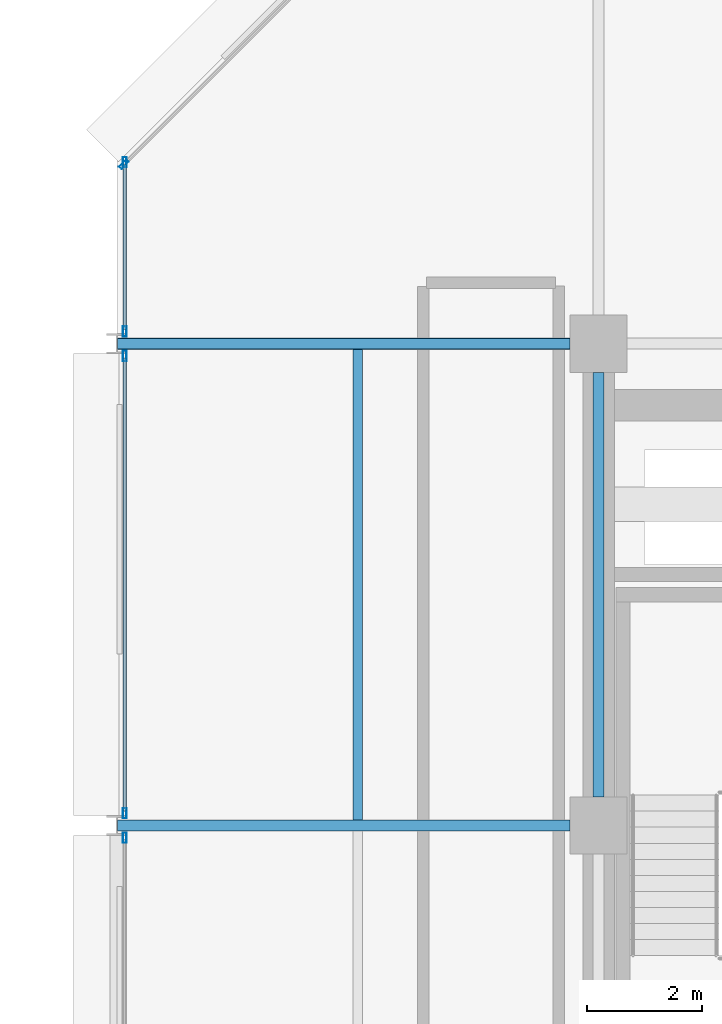
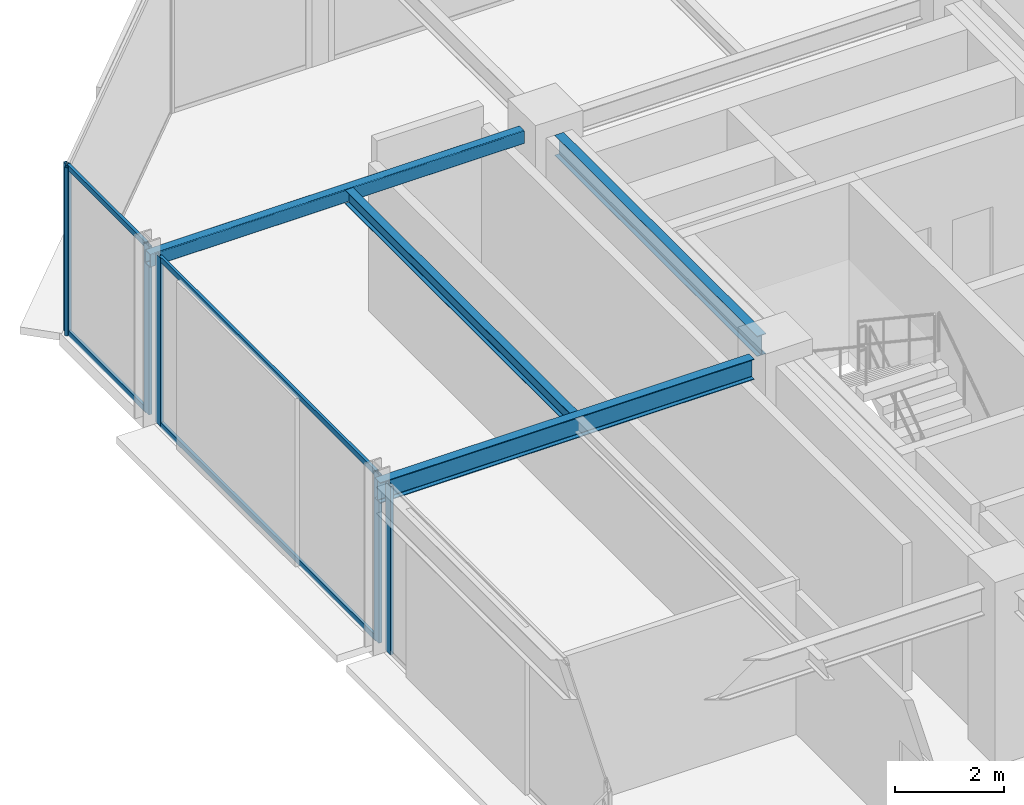
# One storey, part 17 of 30: 10 members, 4 beams, 4 elements without a shape of their own.
"""IFC4 building model written with IfcOpenShell, lengths in metres."""

from ifc_helpers import new_model, si_unit, direction, frame, origin, origin_2d, place, context, subcontext, project, spatial, hollow_rectangle, i_section, extrude, material, layer, layer_set, material_profile, profile_set, type_object, element, aggregate, save


model = new_model("IFC4")

# Units and contexts
model_context = context("Model", 3, precision=1e-05, world=origin(), true_north=direction((0.0, 1.0)))
body_context = subcontext(model_context, "Body", "Model", "MODEL_VIEW")
ifc_project = project(units=[si_unit("LENGTHUNIT", "METRE"), si_unit("AREAUNIT", "SQUARE_METRE"), si_unit("VOLUMEUNIT", "CUBIC_METRE"), si_unit("PLANEANGLEUNIT", "RADIAN"), si_unit("MASSUNIT", "GRAM", prefix="KILO")], contexts=[model_context])

# Site, building, storey
site_placement = place(None, origin())
site = spatial("IfcSite", under=ifc_project, at=site_placement, CompositionType="ELEMENT")
building_placement = place(site_placement, origin())
building = spatial("IfcBuilding", under=site, at=building_placement, Name="Nerrivon Quay Data Exchange", CompositionType="ELEMENT")
storey_placement = place(building_placement, frame((0.0, 0.0, 216.5)))
storey = spatial("IfcBuildingStorey", under=building, at=storey_placement, Name="L51", CompositionType="ELEMENT", Elevation=216.5)

# Beams
ifc_material_1 = material(Name="Steel Grade 350", Category="steel")
ifc_material_profile_1 = material_profile(ifc_material_1, i_section(OverallWidth=0.19091796875, OverallDepth=0.4599609375, WebThickness=0.010009765625, FlangeThickness=0.01611328125, FilletRadius=0.011474609375, at=origin_2d()), Name="460UB82.1")
ifc_profile_set_1 = profile_set([ifc_material_profile_1], Name="Steel Grade 350")
beam_type_1 = type_object("IfcBeamType", Name="BM-G5-460UB82", PredefinedType="BEAM", material=ifc_profile_set_1)
beam_1_placement = place(storey_placement, frame((0.010009765625, 33.60009765625, 3.52001953125), z_axis=(1.0, 0.0, 0.0), x_axis=(0.0, 1.0, 0.0)))
element("IfcBeam", 1, at=beam_1_placement, inside=storey, type_object=beam_type_1, Name="L51 EW Girder Y=33.6 (0.0..8.4)", PredefinedType="BEAM", context=body_context, shape_type="SweptSolid", body=[
    extrude(i_section(OverallWidth=0.19091796875, OverallDepth=0.4599609375, WebThickness=0.010009765625, FlangeThickness=0.01611328125, FilletRadius=0.011474609375, at=origin_2d()), origin(), (0.0, 0.0, 1.0), 7.889892578125),
])
ifc_material_profile_2 = material_profile(ifc_material_1, i_section(OverallWidth=0.18994140625, OverallDepth=0.4541015625, WebThickness=0.008544921875, FlangeThickness=0.0126953125, FilletRadius=0.011474609375, at=origin_2d()), Name="460UB67.1")
ifc_profile_set_2 = profile_set([ifc_material_profile_2], Name="Steel Grade 350")
beam_type_2 = type_object("IfcBeamType", Name="BM-G6-460UB67", PredefinedType="BEAM", material=ifc_profile_set_2)
beam_2_placement = place(storey_placement, frame((8.39990234375, 34.10009765625, 3.52294921875), z_axis=(0.0, 1.0, 0.0), x_axis=(-1.0, 0.0, 0.0)))
element("IfcBeam", 2, at=beam_2_placement, inside=storey, type_object=beam_type_2, Name="L51 NS Girder X=8.4 (33.6..42.0)", PredefinedType="BEAM", context=body_context, shape_type="SweptSolid", body=[
    extrude(i_section(OverallWidth=0.18994140625, OverallDepth=0.4541015625, WebThickness=0.008544921875, FlangeThickness=0.0126953125, FilletRadius=0.011474609375, at=origin_2d()), origin(), (0.0, 0.0, 1.0), 7.39990234375),
])
ifc_material_profile_3 = material_profile(ifc_material_1, i_section(OverallWidth=0.166015625, OverallDepth=0.306884765625, WebThickness=0.006591796875, FlangeThickness=0.01171875, FilletRadius=0.011474609375, at=origin_2d()), Name="310UB46.2")
ifc_profile_set_3 = profile_set([ifc_material_profile_3], Name="Steel Grade 350")
beam_type_3 = type_object("IfcBeamType", Name="BM-J5-310UB46", PredefinedType="JOIST", material=ifc_profile_set_3)
beam_3_placement = place(storey_placement, frame((4.199951171875, 33.695556640625, 3.596435546875), z_axis=(0.0, 1.0, 0.0), x_axis=(-1.0, 0.0, 0.0)))
element("IfcBeam", 3, at=beam_3_placement, inside=storey, type_object=beam_type_3, Name="L51 Secondary Joist X=4.2 (33.6..42.0)", PredefinedType="JOIST", context=body_context, shape_type="SweptSolid", body=[
    extrude(i_section(OverallWidth=0.166015625, OverallDepth=0.306884765625, WebThickness=0.006591796875, FlangeThickness=0.01171875, FilletRadius=0.011474609375, at=origin_2d()), origin(), (0.0, 0.0, 1.0), 8.204345703125),
])
ifc_material_2 = material(Name="Steel Grade C350L0 (350 MPa)", Category="steel")
ifc_material_profile_4 = material_profile(ifc_material_2, hollow_rectangle(XDim=0.199951171875, YDim=0.300048828125, WallThickness=0.012451171875, InnerFilletRadius=0.018798828125, OuterFilletRadius=0.03125, at=origin_2d()), Name="300x200x12.5RHS")
ifc_profile_set_4 = profile_set([ifc_material_profile_4], Name="Steel Grade C350L0 (350 MPa)")
beam_type_4 = type_object("IfcBeamType", Name="BM-SP3-300x200RHS", PredefinedType="SPANDREL", material=ifc_profile_set_4)
beam_4_placement = place(storey_placement, frame((0.010009765625, 42.0, 3.60009765625), z_axis=(1.0, 0.0, 0.0), x_axis=(0.0, 1.0, 0.0)))
element("IfcBeam", 4, at=beam_4_placement, inside=storey, type_object=beam_type_4, Name="L51 EW Girder Y=42.0 (0.0..8.4)", PredefinedType="SPANDREL", context=body_context, shape_type="SweptSolid", body=[
    extrude(hollow_rectangle(XDim=0.199951171875, YDim=0.300048828125, WallThickness=0.012451171875, InnerFilletRadius=0.018798828125, OuterFilletRadius=0.03125, at=origin_2d()), origin(), (0.0, 0.0, 1.0), 7.889892578125),
])

# Curtain wall, member
ifc_material_3 = material(Name="Anodised aluminium 6063-T6", Category="aluminium")
ifc_layer = layer(ifc_material_3, 0.195068359375)
ifc_layer_set = layer_set([ifc_layer], Name="Anodised aluminium 6063-T6")
curtain_wall_type = type_object("IfcCurtainWallType", Name="CW-SYS-06", PredefinedType="NOTDEFINED", material=ifc_layer_set)
curtain_wall_1_placement = place(storey_placement, origin())
curtain_wall_1 = element("IfcCurtainWall", 5, at=curtain_wall_1_placement, inside=storey, type_object=curtain_wall_type, Name="L51 Unitised Curtain Wall 4", PredefinedType="NOTDEFINED")
ifc_material_profile_5 = material_profile(ifc_material_3, hollow_rectangle(XDim=0.06494140625, YDim=0.179931640625, WallThickness=0.00341796875, at=origin_2d()), Name="ALU-MULL-180x65")
ifc_profile_set_5 = profile_set([ifc_material_profile_5], Name="Anodised aluminium 6063-T6")
member_type_1 = type_object("IfcMemberType", Name="CWM-180x65", PredefinedType="MULLION", material=ifc_profile_set_5)
member_1_placement = place(storey_placement, frame((0.139892578125, 33.387451171875, 0.0), z_axis=(0.0, 0.0, 1.0), x_axis=(-1.0, 0.0, 0.0)))
member_1 = element("IfcMember", 6, at=member_1_placement, type_object=member_type_1, Name="CW06 mullion 2", PredefinedType="MULLION", context=body_context, shape_type="SweptSolid", body=[
    extrude(hollow_rectangle(XDim=0.06494140625, YDim=0.179931640625, WallThickness=0.00341796875, at=origin_2d()), origin(), (0.0, 0.0, 1.0), 3.75),
])
aggregate(curtain_wall_1, [member_1])

# Curtain wall, members
curtain_wall_2_placement = place(storey_placement, origin())
curtain_wall_2 = element("IfcCurtainWall", 7, at=curtain_wall_2_placement, inside=storey, type_object=curtain_wall_type, Name="L51 Unitised Curtain Wall 5", PredefinedType="NOTDEFINED")
member_2_placement = place(storey_placement, frame((0.139892578125, 33.8125, 0.0), z_axis=(0.0, 0.0, 1.0), x_axis=(-1.0, 0.0, 0.0)))
member_2 = element("IfcMember", 8, at=member_2_placement, type_object=member_type_1, Name="CW06 mullion 1", PredefinedType="MULLION", context=body_context, shape_type="SweptSolid", body=[
    extrude(hollow_rectangle(XDim=0.06494140625, YDim=0.179931640625, WallThickness=0.00341796875, at=origin_2d()), origin(), (0.0, 0.0, 1.0), 3.75),
])
member_3_placement = place(storey_placement, frame((0.139892578125, 41.78759765625, 0.0), z_axis=(0.0, 0.0, 1.0), x_axis=(-1.0, 0.0, 0.0)))
member_3 = element("IfcMember", 9, at=member_3_placement, type_object=member_type_1, Name="CW06 mullion 2", PredefinedType="MULLION", context=body_context, shape_type="SweptSolid", body=[
    extrude(hollow_rectangle(XDim=0.06494140625, YDim=0.179931640625, WallThickness=0.00341796875, at=origin_2d()), origin(), (0.0, 0.0, 1.0), 3.75),
])

curtain_wall_3_placement = place(storey_placement, origin())
curtain_wall_3 = element("IfcCurtainWall", 10, at=curtain_wall_3_placement, inside=storey, type_object=curtain_wall_type, Name="L51 Unitised Curtain Wall 6", PredefinedType="NOTDEFINED")
member_4_placement = place(storey_placement, frame((0.139892578125, 42.21240234375, 0.0), z_axis=(0.0, 0.0, 1.0), x_axis=(-1.0, 0.0, 0.0)))
member_4 = element("IfcMember", 11, at=member_4_placement, type_object=member_type_1, Name="CW06 mullion 1", PredefinedType="MULLION", context=body_context, shape_type="SweptSolid", body=[
    extrude(hollow_rectangle(XDim=0.06494140625, YDim=0.179931640625, WallThickness=0.00341796875, at=origin_2d()), origin(), (0.0, 0.0, 1.0), 3.75),
])
member_5_placement = place(storey_placement, frame((0.139892578125, 45.16259765625, 0.0), z_axis=(0.0, 0.0, 1.0), x_axis=(-1.0, 0.0, 0.0)))
member_5 = element("IfcMember", 12, at=member_5_placement, type_object=member_type_1, Name="CW06 mullion 2", PredefinedType="MULLION", context=body_context, shape_type="SweptSolid", body=[
    extrude(hollow_rectangle(XDim=0.06494140625, YDim=0.179931640625, WallThickness=0.00341796875, at=origin_2d()), origin(), (0.0, 0.0, 1.0), 3.75),
])

# Curtain wall, member
curtain_wall_4_placement = place(storey_placement, origin())
curtain_wall_4 = element("IfcCurtainWall", 13, at=curtain_wall_4_placement, inside=storey, type_object=curtain_wall_type, Name="L51 Unitised Curtain Wall 7", PredefinedType="NOTDEFINED")
member_6_placement = place(storey_placement, frame((0.12548828125, 45.12744140625, 0.0), z_axis=(0.0, 0.0, 1.0), x_axis=(-0.707106781187, 0.707106781187, 0.0)))
member_6 = element("IfcMember", 14, at=member_6_placement, type_object=member_type_1, Name="CW06 mullion 1", PredefinedType="MULLION", context=body_context, shape_type="SweptSolid", body=[
    extrude(hollow_rectangle(XDim=0.06494140625, YDim=0.179931640625, WallThickness=0.00341796875, at=origin_2d()), origin(), (0.0, 0.0, 1.0), 3.75),
])
aggregate(curtain_wall_4, [member_6])

# Member
ifc_material_profile_6 = material_profile(ifc_material_3, hollow_rectangle(XDim=0.06005859375, YDim=0.1201171875, WallThickness=0.003173828125, at=origin_2d()), Name="ALU-TRAN-120x60")
ifc_profile_set_6 = profile_set([ifc_material_profile_6], Name="Anodised aluminium 6063-T6")
member_type_2 = type_object("IfcMemberType", Name="CWT-120x60", PredefinedType="USERDEFINED", material=ifc_profile_set_6)
member_7_placement = place(storey_placement, frame((0.139892578125, 33.85009765625, 0.032470703125), z_axis=(0.0, 1.0, 0.0), x_axis=(-1.0, 0.0, 0.0)))
member_7 = element("IfcMember", 15, at=member_7_placement, type_object=member_type_2, Name="CW06 transom 1.1", ObjectType="TRANSOM", PredefinedType="USERDEFINED", context=body_context, shape_type="SweptSolid", body=[
    extrude(hollow_rectangle(XDim=0.06005859375, YDim=0.1201171875, WallThickness=0.003173828125, at=origin_2d()), origin(), (0.0, 0.0, 1.0), 7.89990234375),
])

member_8_placement = place(storey_placement, frame((0.139892578125, 33.85009765625, 3.717529296875), z_axis=(0.0, 1.0, 0.0), x_axis=(-1.0, 0.0, 0.0)))
member_8 = element("IfcMember", 16, at=member_8_placement, type_object=member_type_2, Name="CW06 transom 1.2", ObjectType="TRANSOM", PredefinedType="USERDEFINED", context=body_context, shape_type="SweptSolid", body=[
    extrude(hollow_rectangle(XDim=0.06005859375, YDim=0.1201171875, WallThickness=0.003173828125, at=origin_2d()), origin(), (0.0, 0.0, 1.0), 7.89990234375),
])

aggregate(curtain_wall_2, [member_2, member_3, member_7, member_8])

member_9_placement = place(storey_placement, frame((0.139892578125, 42.25, 0.032470703125), z_axis=(0.0, 1.0, 0.0), x_axis=(-1.0, 0.0, 0.0)))
member_9 = element("IfcMember", 17, at=member_9_placement, type_object=member_type_2, Name="CW06 transom 1.1", ObjectType="TRANSOM", PredefinedType="USERDEFINED", context=body_context, shape_type="SweptSolid", body=[
    extrude(hollow_rectangle(XDim=0.06005859375, YDim=0.1201171875, WallThickness=0.003173828125, at=origin_2d()), origin(), (0.0, 0.0, 1.0), 2.875),
])

member_10_placement = place(storey_placement, frame((0.139892578125, 42.25, 3.717529296875), z_axis=(0.0, 1.0, 0.0), x_axis=(-1.0, 0.0, 0.0)))
member_10 = element("IfcMember", 18, at=member_10_placement, type_object=member_type_2, Name="CW06 transom 1.2", ObjectType="TRANSOM", PredefinedType="USERDEFINED", context=body_context, shape_type="SweptSolid", body=[
    extrude(hollow_rectangle(XDim=0.06005859375, YDim=0.1201171875, WallThickness=0.003173828125, at=origin_2d()), origin(), (0.0, 0.0, 1.0), 2.875),
])

aggregate(curtain_wall_3, [member_4, member_5, member_9, member_10])

save(model, "model.ifc")
